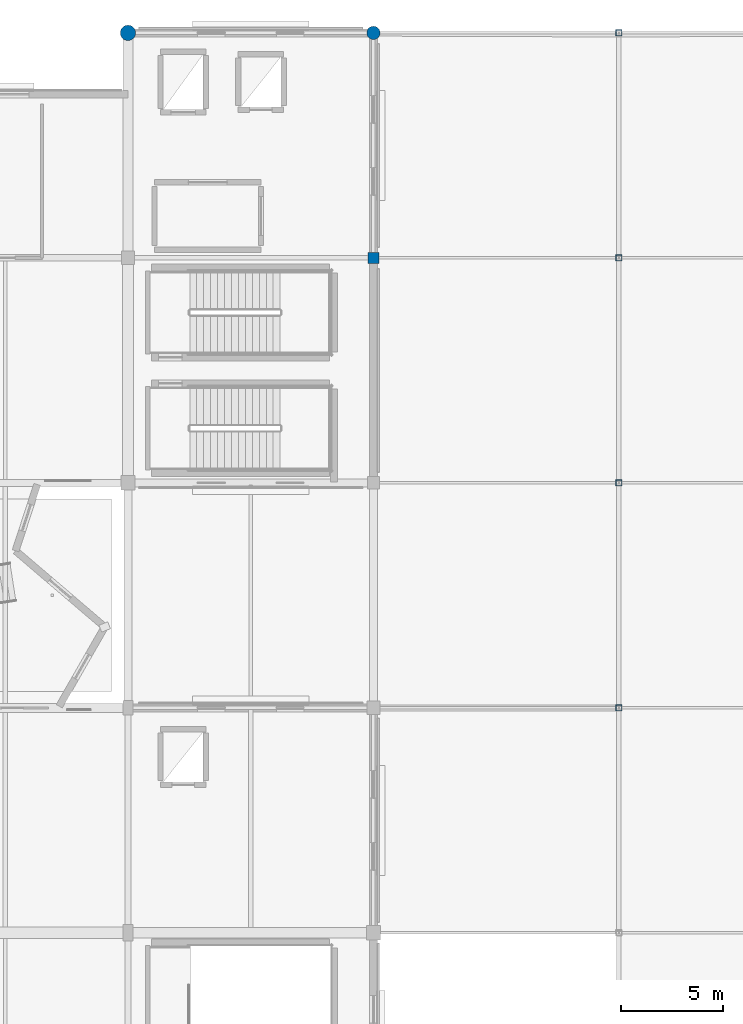
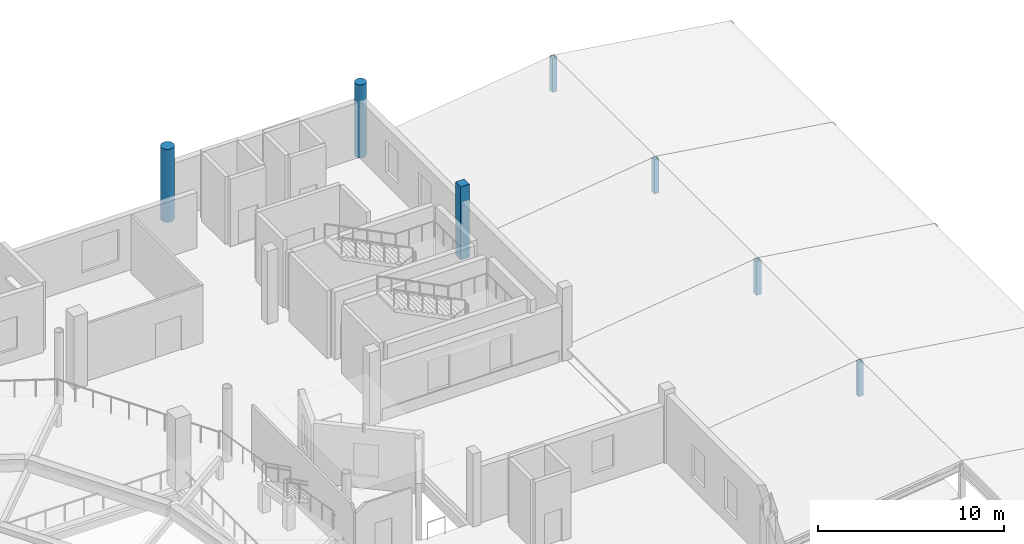
# One storey, part 15 of 77: 7 columns.
"""IFC4 building model written with IfcOpenShell, lengths in metres."""

from ifc_helpers import new_model, si_unit, direction, frame, origin, origin_2d, place, context, subcontext, project, spatial, rectangle, hollow_rectangle, circle, extrude, material, material_profile, profile_set, type_object, element, save


model = new_model("IFC4")

# Units and contexts
model_context = context("Model", 3, precision=1e-05, world=origin(), true_north=direction((0.0, 1.0)))
body_context = subcontext(model_context, "Body", "Model", "MODEL_VIEW")
ifc_project = project(units=[si_unit("LENGTHUNIT", "METRE"), si_unit("AREAUNIT", "SQUARE_METRE"), si_unit("VOLUMEUNIT", "CUBIC_METRE"), si_unit("PLANEANGLEUNIT", "RADIAN"), si_unit("MASSUNIT", "GRAM", prefix="KILO")], contexts=[model_context])

# Site, building, storey
site_placement = place(None, origin())
site = spatial("IfcSite", under=ifc_project, at=site_placement, CompositionType="ELEMENT")
building_placement = place(site_placement, origin())
building = spatial("IfcBuilding", under=site, at=building_placement, Name="Luwafu Chhajja Arena", CompositionType="ELEMENT")
storey_placement = place(building_placement, frame((0.0, 0.0, 14.699951171875)))
storey = spatial("IfcBuildingStorey", under=building, at=storey_placement, Name="L03", CompositionType="ELEMENT", Elevation=14.699951171875)

# Columns
ifc_material_1 = material(Name="Concrete C35/45", Category="concrete")
ifc_material_profile_1 = material_profile(ifc_material_1, circle(Radius=0.375, at=origin_2d()), Name="RC COL D750")
ifc_profile_set_1 = profile_set([ifc_material_profile_1], Name="Concrete C35/45")
column_type_1 = type_object("IfcColumnType", Name="Charbagh Cloister Pier D750", PredefinedType="COLUMN", material=ifc_profile_set_1)
column_1_placement = place(storey_placement, frame((152.0, 99.0, 0.0), z_axis=(0.0, 0.0, 1.0), x_axis=(1.0, 0.0, 0.0)))
element("IfcColumn", 1, at=column_1_placement, inside=storey, type_object=column_type_1, Name="L03 Grid Column 14/K", PredefinedType="COLUMN", context=body_context, shape_type="SweptSolid", body=[
    extrude(circle(Radius=0.375, at=origin_2d()), origin(), (0.0, 0.0, 1.0), 4.800048828125),
])
ifc_material_profile_2 = material_profile(ifc_material_1, circle(Radius=0.324951171875, at=origin_2d()), Name="RC COL D650")
ifc_profile_set_2 = profile_set([ifc_material_profile_2], Name="Concrete C35/45")
column_type_2 = type_object("IfcColumnType", Name="Courtyard Arcade Pier D650", PredefinedType="COLUMN", material=ifc_profile_set_2)
column_2_placement = place(storey_placement, frame((164.0, 99.0, 0.0), z_axis=(0.0, 0.0, 1.0), x_axis=(1.0, 0.0, 0.0)))
element("IfcColumn", 2, at=column_2_placement, inside=storey, type_object=column_type_2, Name="L03 Grid Column 15/K", PredefinedType="COLUMN", context=body_context, shape_type="SweptSolid", body=[
    extrude(circle(Radius=0.324951171875, at=origin_2d()), origin(), (0.0, 0.0, 1.0), 4.800048828125),
])
ifc_material_profile_3 = material_profile(ifc_material_1, rectangle(XDim=0.550048828125, YDim=0.550048828125, at=origin_2d()), Name="RC 550x550")
ifc_profile_set_3 = profile_set([ifc_material_profile_3], Name="Concrete C35/45")
column_type_3 = type_object("IfcColumnType", Name="Gallery Column RC 550", PredefinedType="COLUMN", material=ifc_profile_set_3)
column_3_placement = place(storey_placement, frame((164.0, 88.0, 0.0), z_axis=(0.0, 0.0, 1.0), x_axis=(1.0, 0.0, 0.0)))
element("IfcColumn", 3, at=column_3_placement, inside=storey, type_object=column_type_3, Name="L03 Grid Column 15/J", PredefinedType="COLUMN", context=body_context, shape_type="SweptSolid", body=[
    extrude(rectangle(XDim=0.550048828125, YDim=0.550048828125, at=origin_2d()), origin(), (0.0, 0.0, 1.0), 4.800048828125),
])
ifc_material_2 = material(Name="Steel S355", Category="steel")
ifc_material_profile_4 = material_profile(ifc_material_2, hollow_rectangle(XDim=0.300048828125, YDim=0.300048828125, WallThickness=0.01611328125, at=origin_2d()), Name="SHS 300x300x16")
ifc_profile_set_4 = profile_set([ifc_material_profile_4], Name="Steel S355")
column_type_4 = type_object("IfcColumnType", Name="Steel Gallery Post SHS 300", PredefinedType="COLUMN", material=ifc_profile_set_4)
for number, where, z_axis, x_axis, name in (
    (4, (176.0, 66.0, 0.0), (0.0, 0.0, 1.0), (1.0, 0.0, 0.0), "East Pavilion Ridge Post 6"),
    (5, (176.0, 77.0, 0.0), (0.0, 0.0, 1.0), (1.0, 0.0, 0.0), "East Pavilion Ridge Post 7"),
    (6, (176.0, 88.0, 0.0), (0.0, 0.0, 1.0), (1.0, 0.0, 0.0), "East Pavilion Ridge Post 8"),
    (7, (176.0, 99.0, 0.0), (0.0, 0.0, 1.0), (1.0, 0.0, 0.0), "East Pavilion Ridge Post 9"),
):
    element("IfcColumn", number, at=place(storey_placement, frame(where, z_axis=z_axis, x_axis=x_axis)), inside=storey, type_object=column_type_4, Name=name, PredefinedType="COLUMN", context=body_context, shape_type="SweptSolid", body=[
        extrude(hollow_rectangle(XDim=0.300048828125, YDim=0.300048828125, WallThickness=0.01611328125, at=origin_2d()), origin(), (0.0, 0.0, 1.0), 2.25),
    ])

save(model, "model.ifc")
